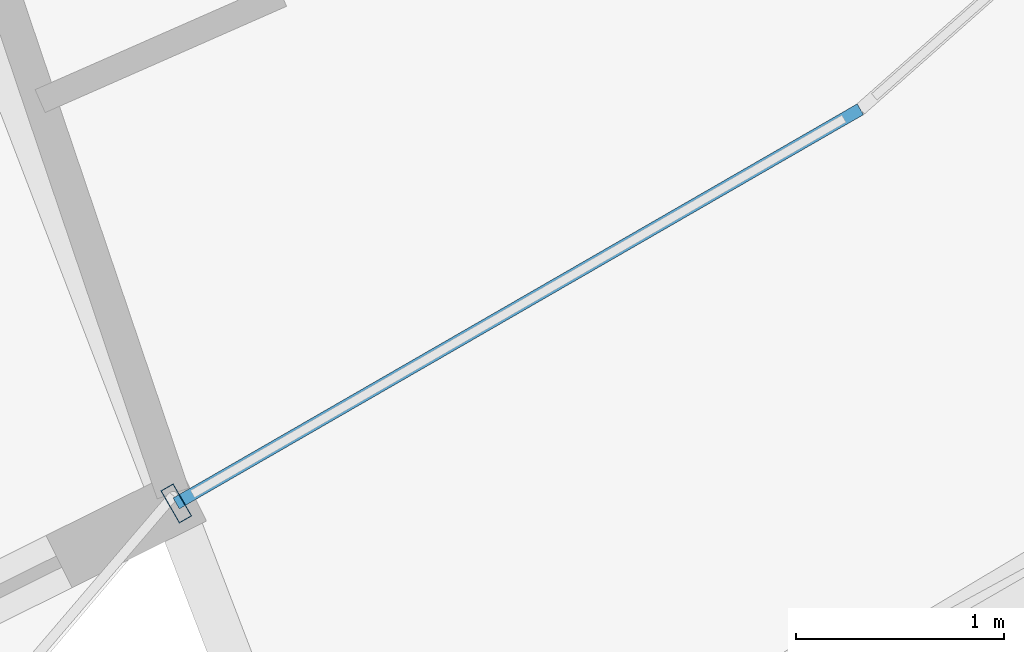
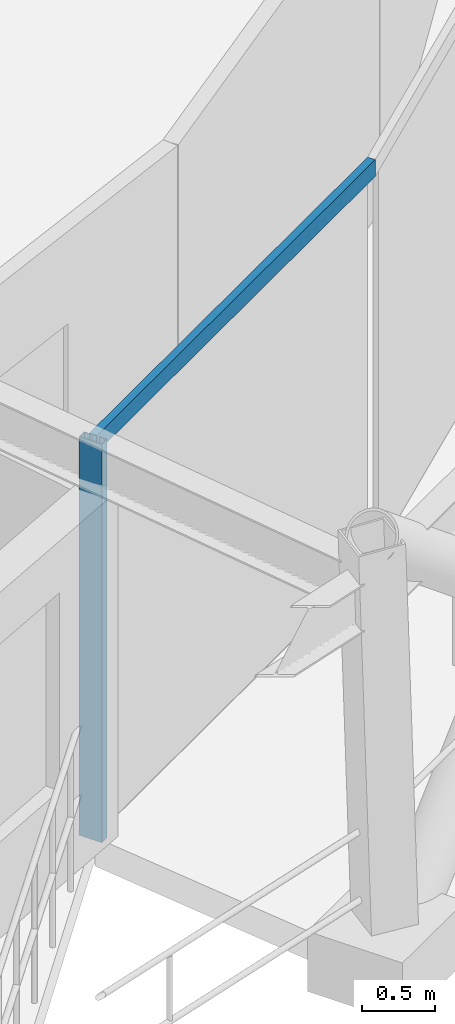
# One storey, part 2 of 15: 2 members, 1 element without a shape of its own.
"""IFC4 building model written with IfcOpenShell, lengths in metres."""

from ifc_helpers import new_model, si_unit, direction, frame, origin, origin_2d, place, context, subcontext, project, spatial, hollow_rectangle, extrude, material, layer, layer_set, material_profile, profile_set, type_object, element, aggregate, save


model = new_model("IFC4")

# Units and contexts
model_context = context("Model", 3, precision=1e-05, world=origin(), true_north=direction((0.0, 1.0)))
body_context = subcontext(model_context, "Body", "Model", "MODEL_VIEW")
ifc_project = project(units=[si_unit("LENGTHUNIT", "METRE"), si_unit("AREAUNIT", "SQUARE_METRE"), si_unit("VOLUMEUNIT", "CUBIC_METRE"), si_unit("PLANEANGLEUNIT", "RADIAN"), si_unit("MASSUNIT", "GRAM", prefix="KILO")], contexts=[model_context])

# Site, building, storey
site_placement = place(None, origin())
site = spatial("IfcSite", under=ifc_project, at=site_placement, CompositionType="ELEMENT")
building_placement = place(site_placement, origin())
building = spatial("IfcBuilding", under=site, at=building_placement, Name="Veldorina Hangang Commons", CompositionType="ELEMENT")
storey_placement = place(building_placement, frame((0.0, 0.0, 268.800048828125)))
storey = spatial("IfcBuildingStorey", under=building, at=storey_placement, Name="L70", CompositionType="ELEMENT", Elevation=268.800048828125)

# Curtain wall, members
ifc_material_1 = material(Name="Glass Low-E Selective", Category="glass")
ifc_layer = layer(ifc_material_1, 0.179931640625)
ifc_layer_set = layer_set([ifc_layer], Name="Glass Low-E Selective")
curtain_wall_type = type_object("IfcCurtainWallType", Name="CW-SYS-Z3", PredefinedType="NOTDEFINED", material=ifc_layer_set)
curtain_wall_placement = place(storey_placement, origin())
curtain_wall = element("IfcCurtainWall", 1, at=curtain_wall_placement, inside=storey, type_object=curtain_wall_type, Name="L70 unitised curtain wall CW-L70-R1", PredefinedType="NOTDEFINED")
ifc_material_2 = material(Name="Aluminium Anodized AA6063-T6", Category="aluminium")
ifc_material_profile_1 = material_profile(ifc_material_2, hollow_rectangle(XDim=0.070068359375, YDim=0.179931640625, WallThickness=0.00390625, at=origin_2d()), Name="ALU-RHS-180x70x4")
ifc_profile_set_1 = profile_set([ifc_material_profile_1], Name="Aluminium Anodized AA6063-T6")
member_type_1 = type_object("IfcMemberType", Name="CW-MUL-180", PredefinedType="MULLION", material=ifc_profile_set_1)
member_1_placement = place(storey_placement, frame((39.269775390625, 5.081787109375, 0.0), z_axis=(0.0, 0.0, 1.0), x_axis=(0.866470119605, 0.499228937295, 0.0)))
member_1 = element("IfcMember", 2, at=member_1_placement, type_object=member_type_1, Name="CW-L70-R1 vertical mullion 1", PredefinedType="MULLION", context=body_context, shape_type="SweptSolid", body=[
    extrude(hollow_rectangle(XDim=0.070068359375, YDim=0.179931640625, WallThickness=0.00390625, at=origin_2d()), origin(), (0.0, 0.0, 1.0), 3.320068359375),
])
ifc_material_profile_2 = material_profile(ifc_material_2, hollow_rectangle(XDim=0.06005859375, YDim=0.139892578125, WallThickness=0.00341796875, at=origin_2d()), Name="ALU-RHS-140x60x3.5")
ifc_profile_set_2 = profile_set([ifc_material_profile_2], Name="Aluminium Anodized AA6063-T6")
member_type_2 = type_object("IfcMemberType", Name="CW-TRN-140", PredefinedType="USERDEFINED", material=ifc_profile_set_2)
member_2_placement = place(storey_placement, frame((39.269775390625, 5.081787109375, 3.280029296875), z_axis=(0.866473881491, 0.499222408045, 0.0), x_axis=(-0.499222408045, 0.866473881491, 0.0)))
member_2 = element("IfcMember", 3, at=member_2_placement, type_object=member_type_2, Name="CW-L70-R1 facet 1 transom 1", ObjectType="TRANSOM", PredefinedType="USERDEFINED", context=body_context, shape_type="SweptSolid", body=[
    extrude(hollow_rectangle(XDim=0.06005859375, YDim=0.139892578125, WallThickness=0.00341796875, at=origin_2d()), origin(), (0.0, 0.0, 1.0), 3.79052734375),
])
aggregate(curtain_wall, [member_1, member_2])

save(model, "model.ifc")
